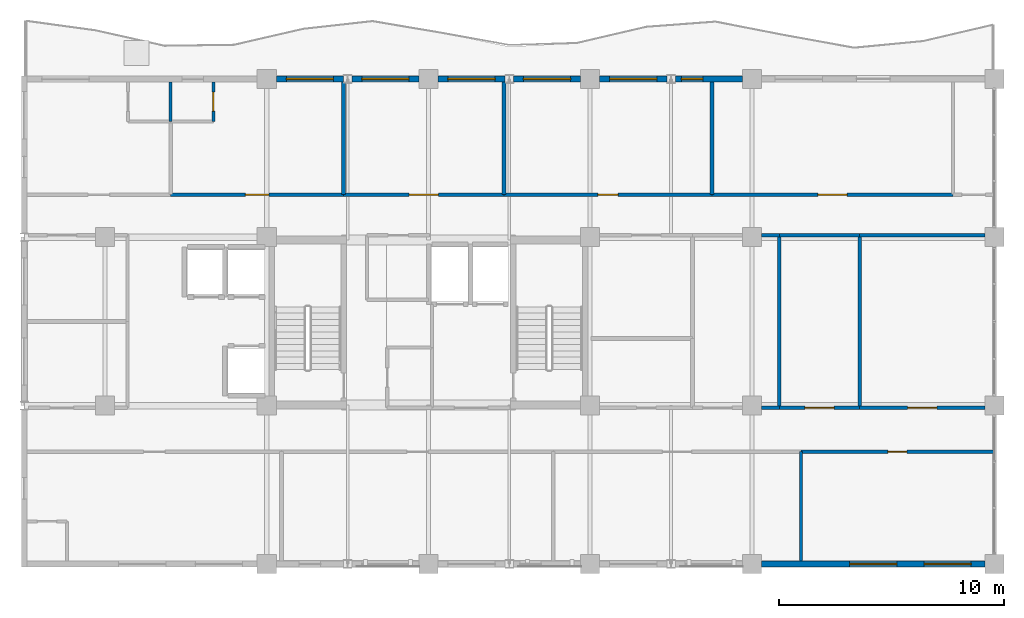
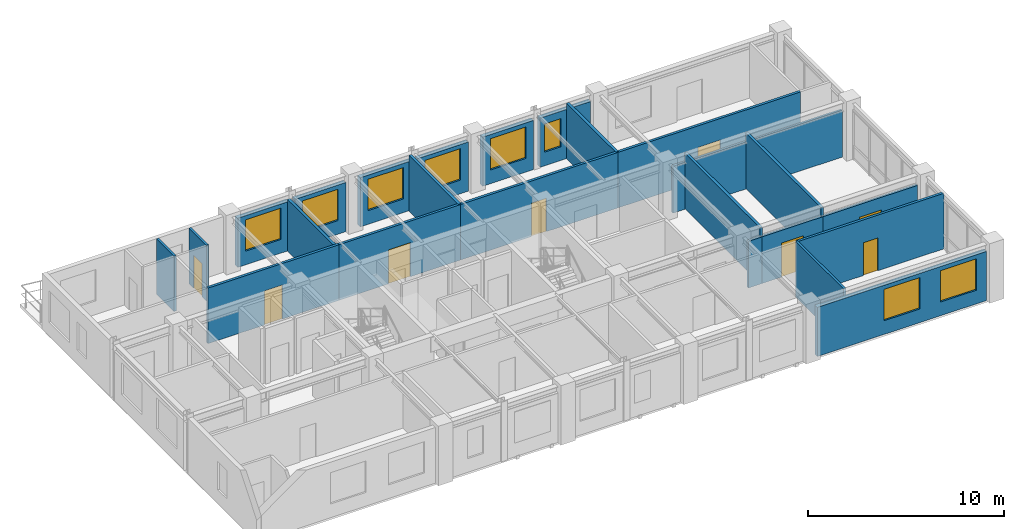
# One storey, part 8 of 11: 26 walls, 8 doors, 8 windows, 16 openings.
"""IFC4 building model written with IfcOpenShell, lengths in metres."""

from ifc_helpers import new_model, si_unit, direction, frame, frame_2d, origin, place, context, subcontext, project, spatial, rectangle, extrude, material, layer, layer_set, type_object, element, fill, save


model = new_model("IFC4")

# Units and contexts
model_context = context("Model", 3, precision=1e-05, world=origin(), true_north=direction((0.0, 1.0)))
body_context = subcontext(model_context, "Body", "Model", "MODEL_VIEW")
ifc_project = project(units=[si_unit("LENGTHUNIT", "METRE"), si_unit("AREAUNIT", "SQUARE_METRE"), si_unit("VOLUMEUNIT", "CUBIC_METRE"), si_unit("PLANEANGLEUNIT", "RADIAN"), si_unit("MASSUNIT", "GRAM", prefix="KILO")], contexts=[model_context])

# Site, building, storey
site_placement = place(None, origin())
site = spatial("IfcSite", under=ifc_project, at=site_placement, CompositionType="ELEMENT")
building_placement = place(site_placement, origin())
building = spatial("IfcBuilding", under=site, at=building_placement, Name="Kaliganga Portal Commons", CompositionType="ELEMENT")
storey_placement = place(building_placement, frame((0.0, 0.0, 272.10009765625)))
storey = spatial("IfcBuildingStorey", under=building, at=storey_placement, Name="L70", CompositionType="ELEMENT", Elevation=272.10009765625)

# Wall, openings, windows
ifc_material_1 = material(Name="Insulated Aluminium-Clad Spandrel Assembly", Category="aluminium")
ifc_layer_1 = layer(ifc_material_1, 0.260009765625)
ifc_layer_set_1 = layer_set([ifc_layer_1], Name="Insulated Aluminium-Clad Spandrel Assembly")
wall_type_1 = type_object("IfcWallType", Name="WL-EXT-SPAND-260", PredefinedType="STANDARD", material=ifc_layer_set_1)
wall_1_placement = place(storey_placement, frame((46.3740234375, 21.60009765625, 0.0), z_axis=(0.0, 0.0, 1.0), x_axis=(-1.0, 0.0, 0.0)))
wall_1 = element("IfcWall", 1, at=wall_1_placement, inside=storey, type_object=wall_type_1, Name="Exterior Envelope Wall L70 P1-E00-S8", PredefinedType="STANDARD", context=body_context, shape_type="SweptSolid", body=[
    extrude(rectangle(XDim=9.947998046875, YDim=0.260009765625, at=frame_2d((4.97412109375, 0.0))), origin(), (0.0, 0.0, 1.0), 3.054931640625),
])
opening_1_placement = place(wall_1_placement, frame((0.60791015625, 0.0, 0.85009765625)))
opening_1 = element("IfcOpeningElement", 2, at=opening_1_placement, cuts=wall_1, Name="Opening W-06", PredefinedType="OPENING", context=body_context, shape_type="SweptSolid", body=[
    extrude(rectangle(XDim=2.10009765625, YDim=1.949951171875, at=frame_2d((1.050048828125, 0.97509765625))), frame((0.0, 0.14013671875, 0.0), z_axis=(0.0, -1.0, 0.0), x_axis=(1.0, 0.0, 0.0)), (0.0, 0.0, 1.0), 0.280029296875),
])
opening_2_placement = place(wall_1_placement, frame((3.924072265625, 0.0, 0.85009765625)))
opening_2 = element("IfcOpeningElement", 3, at=opening_2_placement, cuts=wall_1, Name="Opening W-06", PredefinedType="OPENING", context=body_context, shape_type="SweptSolid", body=[
    extrude(rectangle(XDim=2.10009765625, YDim=1.949951171875, at=frame_2d((1.050048828125, 0.97509765625))), frame((0.0, 0.14013671875, 0.0), z_axis=(0.0, -1.0, 0.0), x_axis=(1.0, 0.0, 0.0)), (0.0, 0.0, 1.0), 0.280029296875),
])
ifc_material_2 = material(Name="Thermally Broken Aluminium and Low-E Double Glazing", Category="aluminium")
window_type_1 = type_object("IfcWindowType", Name="WIN-PAN-2100", PartitioningType="DOUBLE_PANEL_VERTICAL", PredefinedType="WINDOW", material=ifc_material_2)
window_1_placement = place(opening_1_placement, origin())
window_1 = element("IfcWindow", 4, at=window_1_placement, inside=storey, type_object=window_type_1, Name="Facade Window L70-P1E00S8-00", OverallHeight=1.949951171875, OverallWidth=2.10009765625, PartitioningType="SINGLE_PANEL", PredefinedType="WINDOW", context=body_context, shape_type="SweptSolid", body=[
    extrude(rectangle(XDim=2.10009765625, YDim=1.949951171875, at=frame_2d((1.050048828125, 0.97509765625))), frame((0.0, 0.030029296875, 0.0), z_axis=(0.0, -1.0, 0.0), x_axis=(1.0, 0.0, 0.0)), (0.0, 0.0, 1.0), 0.06005859375),
])
fill(opening_1, window_1)
window_2_placement = place(opening_2_placement, origin())
window_2 = element("IfcWindow", 5, at=window_2_placement, inside=storey, type_object=window_type_1, Name="Facade Window L70-P1E00S8-01", OverallHeight=1.949951171875, OverallWidth=2.10009765625, PartitioningType="SINGLE_PANEL", PredefinedType="WINDOW", context=body_context, shape_type="SweptSolid", body=[
    extrude(rectangle(XDim=2.10009765625, YDim=1.949951171875, at=frame_2d((1.050048828125, 0.97509765625))), frame((0.0, 0.030029296875, 0.0), z_axis=(0.0, -1.0, 0.0), x_axis=(1.0, 0.0, 0.0)), (0.0, 0.0, 1.0), 0.06005859375),
])
fill(opening_2, window_2)

# Wall, opening, window
wall_2_placement = place(storey_placement, frame((32.587890625, 43.199951171875, 0.0), z_axis=(0.0, 0.0, 1.0), x_axis=(1.0, 0.0, 0.0)))
wall_2 = element("IfcWall", 6, at=wall_2_placement, inside=storey, type_object=wall_type_1, Name="Exterior Envelope Wall L70 P1-E02-S2", PredefinedType="STANDARD", context=body_context, shape_type="SweptSolid", body=[
    extrude(rectangle(XDim=2.986083984375, YDim=0.260009765625, at=frame_2d((1.4931640625, 0.0))), origin(), (0.0, 0.0, 1.0), 3.054931640625),
])
opening_3_placement = place(wall_2_placement, frame((0.277587890625, 0.0, 0.85009765625)))
opening_3 = element("IfcOpeningElement", 7, at=opening_3_placement, cuts=wall_2, Name="Opening W-04", PredefinedType="OPENING", context=body_context, shape_type="SweptSolid", body=[
    extrude(rectangle(XDim=0.949951171875, YDim=1.75, at=frame_2d((0.47509765625, 0.875))), frame((0.0, 0.14013671875, 0.0), z_axis=(0.0, -1.0, 0.0), x_axis=(1.0, 0.0, 0.0)), (0.0, 0.0, 1.0), 0.280029296875),
])
window_type_2 = type_object("IfcWindowType", Name="WIN-NARROW-950", PartitioningType="SINGLE_PANEL", PredefinedType="WINDOW", material=ifc_material_2)
window_3_placement = place(opening_3_placement, origin())
window_3 = element("IfcWindow", 8, at=window_3_placement, inside=storey, type_object=window_type_2, Name="Facade Window L70-P1E02S2-N1", OverallHeight=1.75, OverallWidth=0.949951171875, PartitioningType="SINGLE_PANEL", PredefinedType="WINDOW", context=body_context, shape_type="SweptSolid", body=[
    extrude(rectangle(XDim=0.949951171875, YDim=1.75, at=frame_2d((0.47509765625, 0.875))), frame((0.0, 0.030029296875, 0.0), z_axis=(0.0, -1.0, 0.0), x_axis=(1.0, 0.0, 0.0)), (0.0, 0.0, 1.0), 0.06005859375),
])
fill(opening_3, window_3)

wall_3_placement = place(storey_placement, frame((29.22607421875, 43.199951171875, 0.0), z_axis=(0.0, 0.0, 1.0), x_axis=(1.0, 0.0, 0.0)))
wall_3 = element("IfcWall", 9, at=wall_3_placement, inside=storey, type_object=wall_type_1, Name="Exterior Envelope Wall L70 P1-E02-S3", PredefinedType="STANDARD", context=body_context, shape_type="SweptSolid", body=[
    extrude(rectangle(XDim=2.98583984375, YDim=0.260009765625, at=frame_2d((1.492919921875, 0.0))), origin(), (0.0, 0.0, 1.0), 3.054931640625),
])
opening_4_placement = place(wall_3_placement, frame((0.443115234375, 0.0, 0.85009765625)))
opening_4 = element("IfcOpeningElement", 10, at=opening_4_placement, cuts=wall_3, Name="Opening W-06", PredefinedType="OPENING", context=body_context, shape_type="SweptSolid", body=[
    extrude(rectangle(XDim=2.10009765625, YDim=1.949951171875, at=frame_2d((1.050048828125, 0.97509765625))), frame((0.0, 0.14013671875, 0.0), z_axis=(0.0, -1.0, 0.0), x_axis=(1.0, 0.0, 0.0)), (0.0, 0.0, 1.0), 0.280029296875),
])
window_4_placement = place(opening_4_placement, origin())
window_4 = element("IfcWindow", 11, at=window_4_placement, inside=storey, type_object=window_type_1, Name="Facade Window L70-P1E02S3-00", OverallHeight=1.949951171875, OverallWidth=2.10009765625, PartitioningType="SINGLE_PANEL", PredefinedType="WINDOW", context=body_context, shape_type="SweptSolid", body=[
    extrude(rectangle(XDim=2.10009765625, YDim=1.949951171875, at=frame_2d((1.050048828125, 0.97509765625))), frame((0.0, 0.030029296875, 0.0), z_axis=(0.0, -1.0, 0.0), x_axis=(1.0, 0.0, 0.0)), (0.0, 0.0, 1.0), 0.06005859375),
])
fill(opening_4, window_4)

wall_4_placement = place(storey_placement, frame((25.387939453125, 43.199951171875, 0.0), z_axis=(0.0, 0.0, 1.0), x_axis=(1.0, 0.0, 0.0)))
wall_4 = element("IfcWall", 12, at=wall_4_placement, inside=storey, type_object=wall_type_1, Name="Exterior Envelope Wall L70 P1-E02-S4", PredefinedType="STANDARD", context=body_context, shape_type="SweptSolid", body=[
    extrude(rectangle(XDim=2.986083984375, YDim=0.260009765625, at=frame_2d((1.4931640625, 0.0))), origin(), (0.0, 0.0, 1.0), 3.054931640625),
])
opening_5_placement = place(wall_4_placement, frame((0.443115234375, 0.0, 0.85009765625)))
opening_5 = element("IfcOpeningElement", 13, at=opening_5_placement, cuts=wall_4, Name="Opening W-06", PredefinedType="OPENING", context=body_context, shape_type="SweptSolid", body=[
    extrude(rectangle(XDim=2.10009765625, YDim=1.949951171875, at=frame_2d((1.050048828125, 0.97509765625))), frame((0.0, 0.14013671875, 0.0), z_axis=(0.0, -1.0, 0.0), x_axis=(1.0, 0.0, 0.0)), (0.0, 0.0, 1.0), 0.280029296875),
])
window_5_placement = place(opening_5_placement, origin())
window_5 = element("IfcWindow", 14, at=window_5_placement, inside=storey, type_object=window_type_1, Name="Facade Window L70-P1E02S4-00", OverallHeight=1.949951171875, OverallWidth=2.10009765625, PartitioningType="SINGLE_PANEL", PredefinedType="WINDOW", context=body_context, shape_type="SweptSolid", body=[
    extrude(rectangle(XDim=2.10009765625, YDim=1.949951171875, at=frame_2d((1.050048828125, 0.97509765625))), frame((0.0, 0.030029296875, 0.0), z_axis=(0.0, -1.0, 0.0), x_axis=(1.0, 0.0, 0.0)), (0.0, 0.0, 1.0), 0.06005859375),
])
fill(opening_5, window_5)

wall_5_placement = place(storey_placement, frame((22.02587890625, 43.199951171875, 0.0), z_axis=(0.0, 0.0, 1.0), x_axis=(1.0, 0.0, 0.0)))
wall_5 = element("IfcWall", 15, at=wall_5_placement, inside=storey, type_object=wall_type_1, Name="Exterior Envelope Wall L70 P1-E02-S5", PredefinedType="STANDARD", context=body_context, shape_type="SweptSolid", body=[
    extrude(rectangle(XDim=2.986083984375, YDim=0.260009765625, at=frame_2d((1.4931640625, 0.0))), origin(), (0.0, 0.0, 1.0), 3.054931640625),
])
opening_6_placement = place(wall_5_placement, frame((0.443115234375, 0.0, 0.85009765625)))
opening_6 = element("IfcOpeningElement", 16, at=opening_6_placement, cuts=wall_5, Name="Opening W-06", PredefinedType="OPENING", context=body_context, shape_type="SweptSolid", body=[
    extrude(rectangle(XDim=2.10009765625, YDim=1.949951171875, at=frame_2d((1.050048828125, 0.97509765625))), frame((0.0, 0.14013671875, 0.0), z_axis=(0.0, -1.0, 0.0), x_axis=(1.0, 0.0, 0.0)), (0.0, 0.0, 1.0), 0.280029296875),
])
window_6_placement = place(opening_6_placement, origin())
window_6 = element("IfcWindow", 17, at=window_6_placement, inside=storey, type_object=window_type_1, Name="Facade Window L70-P1E02S5-00", OverallHeight=1.949951171875, OverallWidth=2.10009765625, PartitioningType="SINGLE_PANEL", PredefinedType="WINDOW", context=body_context, shape_type="SweptSolid", body=[
    extrude(rectangle(XDim=2.10009765625, YDim=1.949951171875, at=frame_2d((1.050048828125, 0.97509765625))), frame((0.0, 0.030029296875, 0.0), z_axis=(0.0, -1.0, 0.0), x_axis=(1.0, 0.0, 0.0)), (0.0, 0.0, 1.0), 0.06005859375),
])
fill(opening_6, window_6)

wall_6_placement = place(storey_placement, frame((18.18798828125, 43.199951171875, 0.0), z_axis=(0.0, 0.0, 1.0), x_axis=(1.0, 0.0, 0.0)))
wall_6 = element("IfcWall", 18, at=wall_6_placement, inside=storey, type_object=wall_type_1, Name="Exterior Envelope Wall L70 P1-E02-S6", PredefinedType="STANDARD", context=body_context, shape_type="SweptSolid", body=[
    extrude(rectangle(XDim=2.986083984375, YDim=0.260009765625, at=frame_2d((1.4931640625, 0.0))), origin(), (0.0, 0.0, 1.0), 3.054931640625),
])
opening_7_placement = place(wall_6_placement, frame((0.443115234375, 0.0, 0.85009765625)))
opening_7 = element("IfcOpeningElement", 19, at=opening_7_placement, cuts=wall_6, Name="Opening W-06", PredefinedType="OPENING", context=body_context, shape_type="SweptSolid", body=[
    extrude(rectangle(XDim=2.10009765625, YDim=1.949951171875, at=frame_2d((1.050048828125, 0.97509765625))), frame((0.0, 0.14013671875, 0.0), z_axis=(0.0, -1.0, 0.0), x_axis=(1.0, 0.0, 0.0)), (0.0, 0.0, 1.0), 0.280029296875),
])
window_7_placement = place(opening_7_placement, origin())
window_7 = element("IfcWindow", 20, at=window_7_placement, inside=storey, type_object=window_type_1, Name="Facade Window L70-P1E02S6-00", OverallHeight=1.949951171875, OverallWidth=2.10009765625, PartitioningType="SINGLE_PANEL", PredefinedType="WINDOW", context=body_context, shape_type="SweptSolid", body=[
    extrude(rectangle(XDim=2.10009765625, YDim=1.949951171875, at=frame_2d((1.050048828125, 0.97509765625))), frame((0.0, 0.030029296875, 0.0), z_axis=(0.0, -1.0, 0.0), x_axis=(1.0, 0.0, 0.0)), (0.0, 0.0, 1.0), 0.06005859375),
])
fill(opening_7, window_7)

wall_7_placement = place(storey_placement, frame((14.825927734375, 43.199951171875, 0.0), z_axis=(0.0, 0.0, 1.0), x_axis=(1.0, 0.0, 0.0)))
wall_7 = element("IfcWall", 21, at=wall_7_placement, inside=storey, type_object=wall_type_1, Name="Exterior Envelope Wall L70 P1-E02-S7", PredefinedType="STANDARD", context=body_context, shape_type="SweptSolid", body=[
    extrude(rectangle(XDim=2.986083984375, YDim=0.260009765625, at=frame_2d((1.4931640625, 0.0))), origin(), (0.0, 0.0, 1.0), 3.054931640625),
])
opening_8_placement = place(wall_7_placement, frame((0.443115234375, 0.0, 0.85009765625)))
opening_8 = element("IfcOpeningElement", 22, at=opening_8_placement, cuts=wall_7, Name="Opening W-06", PredefinedType="OPENING", context=body_context, shape_type="SweptSolid", body=[
    extrude(rectangle(XDim=2.10009765625, YDim=1.949951171875, at=frame_2d((1.050048828125, 0.97509765625))), frame((0.0, 0.14013671875, 0.0), z_axis=(0.0, -1.0, 0.0), x_axis=(1.0, 0.0, 0.0)), (0.0, 0.0, 1.0), 0.280029296875),
])
window_8_placement = place(opening_8_placement, origin())
window_8 = element("IfcWindow", 23, at=window_8_placement, inside=storey, type_object=window_type_1, Name="Facade Window L70-P1E02S7-00", OverallHeight=1.949951171875, OverallWidth=2.10009765625, PartitioningType="SINGLE_PANEL", PredefinedType="WINDOW", context=body_context, shape_type="SweptSolid", body=[
    extrude(rectangle(XDim=2.10009765625, YDim=1.949951171875, at=frame_2d((1.050048828125, 0.97509765625))), frame((0.0, 0.030029296875, 0.0), z_axis=(0.0, -1.0, 0.0), x_axis=(1.0, 0.0, 0.0)), (0.0, 0.0, 1.0), 0.06005859375),
])
fill(opening_8, window_8)

# Wall, opening, door
ifc_material_3 = material(Name="Fire-Rated Gypsum Board on Steel Stud", Category="steel")
ifc_layer_2 = layer(ifc_material_3, 0.14990234375)
ifc_layer_set_2 = layer_set([ifc_layer_2], Name="Fire-Rated Gypsum Board on Steel Stud")
wall_type_2 = type_object("IfcWallType", Name="WL-PART-CORR-150", PredefinedType="PARTITIONING", material=ifc_layer_set_2)
wall_8_placement = place(storey_placement, frame((34.219970703125, 38.0400390625, 0.0), z_axis=(0.0, 0.0, 1.0), x_axis=(1.0, 0.0, 0.0)))
wall_8 = element("IfcWall", 24, at=wall_8_placement, inside=storey, type_object=wall_type_2, Name="Interior Partition L70-011", PredefinedType="PARTITIONING", context=body_context, shape_type="SweptSolid", body=[
    extrude(rectangle(XDim=10.739990234375, YDim=0.14990234375, at=frame_2d((5.3701171875, 0.0))), origin(), (0.0, 0.0, 1.0), 3.454833984375),
])
opening_9_placement = place(wall_8_placement, frame((4.719970703125, 0.0, 0.0)))
opening_9 = element("IfcOpeningElement", 25, at=opening_9_placement, cuts=wall_8, Name="Opening RD-03", PredefinedType="OPENING", context=body_context, shape_type="SweptSolid", body=[
    extrude(rectangle(XDim=1.300048828125, YDim=2.1201171875, at=frame_2d((0.64990234375, 1.06005859375))), frame((0.0, 0.0849609375, 0.0), z_axis=(0.0, -1.0, 0.0), x_axis=(1.0, 0.0, 0.0)), (0.0, 0.0, 1.0), 0.169921875),
])
ifc_material_4 = material(Name="Glazed Timber Seminar Vision Door", Category="wood")
door_type_1 = type_object("IfcDoorType", Name="DR-STUDY-1300", OperationType="DOUBLE_DOOR_SINGLE_SWING", PredefinedType="DOOR", material=ifc_material_4)
door_1_placement = place(opening_9_placement, origin())
door_1 = element("IfcDoor", 26, at=door_1_placement, inside=storey, type_object=door_type_1, Name="Interior Door L70-AN05", OperationType="DOUBLE_DOOR_SINGLE_SWING", OverallHeight=2.1201171875, OverallWidth=1.300048828125, PredefinedType="DOOR", context=body_context, shape_type="SweptSolid", body=[
    extrude(rectangle(XDim=1.300048828125, YDim=2.1201171875, at=frame_2d((0.64990234375, 1.06005859375))), frame((0.0, 0.02490234375, 0.0), z_axis=(0.0, -1.0, 0.0), x_axis=(1.0, 0.0, 0.0)), (0.0, 0.0, 1.0), 0.050048828125),
])
fill(opening_9, door_1)

wall_9_placement = place(storey_placement, frame((24.9599609375, 38.0400390625, 0.0), z_axis=(0.0, 0.0, 1.0), x_axis=(1.0, 0.0, 0.0)))
wall_9 = element("IfcWall", 27, at=wall_9_placement, inside=storey, type_object=wall_type_2, Name="Interior Partition L70-012", PredefinedType="PARTITIONING", context=body_context, shape_type="SweptSolid", body=[
    extrude(rectangle(XDim=9.260009765625, YDim=0.14990234375, at=frame_2d((4.6298828125, 0.0))), origin(), (0.0, 0.0, 1.0), 3.454833984375),
])
opening_10_placement = place(wall_9_placement, frame((4.179931640625, 0.0, 0.0)))
opening_10 = element("IfcOpeningElement", 28, at=opening_10_placement, cuts=wall_9, Name="Opening RD-01", PredefinedType="OPENING", context=body_context, shape_type="SweptSolid", body=[
    extrude(rectangle(XDim=0.89990234375, YDim=2.080078125, at=frame_2d((0.449951171875, 1.0400390625))), frame((0.0, 0.0849609375, 0.0), z_axis=(0.0, -1.0, 0.0), x_axis=(1.0, 0.0, 0.0)), (0.0, 0.0, 1.0), 0.169921875),
])
ifc_material_5 = material(Name="Engineered Timber Flush Door", Category="wood")
door_type_2 = type_object("IfcDoorType", Name="DR-ROOM-900", OperationType="NOTDEFINED", PredefinedType="DOOR", material=ifc_material_5)
door_2_placement = place(opening_10_placement, origin())
door_2 = element("IfcDoor", 29, at=door_2_placement, inside=storey, type_object=door_type_2, Name="Interior Door L70-AN04", OperationType="SINGLE_SWING_RIGHT", OverallHeight=2.080078125, OverallWidth=0.89990234375, PredefinedType="DOOR", context=body_context, shape_type="SweptSolid", body=[
    extrude(rectangle(XDim=0.89990234375, YDim=2.080078125, at=frame_2d((0.449951171875, 1.0400390625))), frame((0.0, 0.02490234375, 0.0), z_axis=(0.0, -1.0, 0.0), x_axis=(1.0, 0.0, 0.0)), (0.0, 0.0, 1.0), 0.050048828125),
])
fill(opening_10, door_2)

wall_10_placement = place(storey_placement, frame((38.179931640625, 26.60009765625, 0.0), z_axis=(0.0, 0.0, 1.0), x_axis=(1.0, 0.0, 0.0)))
wall_10 = element("IfcWall", 30, at=wall_10_placement, inside=storey, type_object=wall_type_2, Name="Interior Partition L70-013", PredefinedType="PARTITIONING", context=body_context, shape_type="SweptSolid", body=[
    extrude(rectangle(XDim=8.60009765625, YDim=0.14990234375, at=frame_2d((4.300048828125, 0.0))), origin(), (0.0, 0.0, 1.0), 3.454833984375),
])
opening_11_placement = place(wall_10_placement, frame((3.875, 0.0, 0.0)))
opening_11 = element("IfcOpeningElement", 31, at=opening_11_placement, cuts=wall_10, Name="Opening WD-01", PredefinedType="OPENING", context=body_context, shape_type="SweptSolid", body=[
    extrude(rectangle(XDim=0.85009765625, YDim=2.0400390625, at=frame_2d((0.425048828125, 1.02001953125))), frame((0.0, 0.0849609375, 0.0), z_axis=(0.0, -1.0, 0.0), x_axis=(1.0, 0.0, 0.0)), (0.0, 0.0, 1.0), 0.169921875),
])
ifc_material_6 = material(Name="Moisture-Resistant Laminate Timber Door", Category="wood")
door_type_3 = type_object("IfcDoorType", Name="DR-WET-850", OperationType="NOTDEFINED", PredefinedType="DOOR", material=ifc_material_6)
door_3_placement = place(opening_11_placement, origin())
door_3 = element("IfcDoor", 32, at=door_3_placement, inside=storey, type_object=door_type_3, Name="Interior Door L70-AS04", OperationType="SINGLE_SWING_LEFT", OverallHeight=2.0400390625, OverallWidth=0.85009765625, PredefinedType="DOOR", context=body_context, shape_type="SweptSolid", body=[
    extrude(rectangle(XDim=0.85009765625, YDim=2.0400390625, at=frame_2d((0.425048828125, 1.02001953125))), frame((0.0, 0.02490234375, 0.0), z_axis=(0.0, -1.0, 0.0), x_axis=(1.0, 0.0, 0.0)), (0.0, 0.0, 1.0), 0.050048828125),
])
fill(opening_11, door_3)

wall_11_placement = place(storey_placement, frame((10.1201171875, 38.0400390625, 0.0), z_axis=(0.0, 0.0, 1.0), x_axis=(1.0, 0.0, 0.0)))
wall_11 = element("IfcWall", 33, at=wall_11_placement, inside=storey, type_object=wall_type_2, Name="Interior Partition L70-014", PredefinedType="PARTITIONING", context=body_context, shape_type="SweptSolid", body=[
    extrude(rectangle(XDim=7.699951171875, YDim=0.14990234375, at=frame_2d((3.85009765625, 0.0))), origin(), (0.0, 0.0, 1.0), 3.454833984375),
])
opening_12_placement = place(wall_11_placement, frame((3.324951171875, 0.0, 0.0)))
opening_12 = element("IfcOpeningElement", 34, at=opening_12_placement, cuts=wall_11, Name="Opening UD-02", PredefinedType="OPENING", context=body_context, shape_type="SweptSolid", body=[
    extrude(rectangle(XDim=1.050048828125, YDim=2.1201171875, at=frame_2d((0.52490234375, 1.06005859375))), frame((0.0, 0.0849609375, 0.0), z_axis=(0.0, -1.0, 0.0), x_axis=(1.0, 0.0, 0.0)), (0.0, 0.0, 1.0), 0.169921875),
])
ifc_material_7 = material(Name="Accessible Wide-Leaf Acoustic Fire Door", Category="wood")
door_type_4 = type_object("IfcDoorType", Name="DR-ACC-1050", OperationType="NOTDEFINED", PredefinedType="DOOR", material=ifc_material_7)
door_4_placement = place(opening_12_placement, origin())
door_4 = element("IfcDoor", 35, at=door_4_placement, inside=storey, type_object=door_type_4, Name="Interior Door L70-AN02", OperationType="SINGLE_SWING_RIGHT", OverallHeight=2.1201171875, OverallWidth=1.050048828125, PredefinedType="DOOR", context=body_context, shape_type="SweptSolid", body=[
    extrude(rectangle(XDim=1.050048828125, YDim=2.1201171875, at=frame_2d((0.52490234375, 1.06005859375))), frame((0.0, 0.02490234375, 0.0), z_axis=(0.0, -1.0, 0.0), x_axis=(1.0, 0.0, 0.0)), (0.0, 0.0, 1.0), 0.050048828125),
])
fill(opening_12, door_4)

wall_12_placement = place(storey_placement, frame((17.820068359375, 38.0400390625, 0.0), z_axis=(0.0, 0.0, 1.0), x_axis=(1.0, 0.0, 0.0)))
wall_12 = element("IfcWall", 36, at=wall_12_placement, inside=storey, type_object=wall_type_2, Name="Interior Partition L70-015", PredefinedType="PARTITIONING", context=body_context, shape_type="SweptSolid", body=[
    extrude(rectangle(XDim=7.139892578125, YDim=0.14990234375, at=frame_2d((3.56982421875, 0.0))), origin(), (0.0, 0.0, 1.0), 3.454833984375),
])
opening_13_placement = place(wall_12_placement, frame((2.919921875, 0.0, 0.0)))
opening_13 = element("IfcOpeningElement", 37, at=opening_13_placement, cuts=wall_12, Name="Opening RD-03", PredefinedType="OPENING", context=body_context, shape_type="SweptSolid", body=[
    extrude(rectangle(XDim=1.300048828125, YDim=2.1201171875, at=frame_2d((0.64990234375, 1.06005859375))), frame((0.0, 0.0849609375, 0.0), z_axis=(0.0, -1.0, 0.0), x_axis=(1.0, 0.0, 0.0)), (0.0, 0.0, 1.0), 0.169921875),
])
door_5_placement = place(opening_13_placement, origin())
door_5 = element("IfcDoor", 38, at=door_5_placement, inside=storey, type_object=door_type_1, Name="Interior Door L70-AN03", OperationType="DOUBLE_DOOR_SINGLE_SWING", OverallHeight=2.1201171875, OverallWidth=1.300048828125, PredefinedType="DOOR", context=body_context, shape_type="SweptSolid", body=[
    extrude(rectangle(XDim=1.300048828125, YDim=2.1201171875, at=frame_2d((0.64990234375, 1.06005859375))), frame((0.0, 0.02490234375, 0.0), z_axis=(0.0, -1.0, 0.0), x_axis=(1.0, 0.0, 0.0)), (0.0, 0.0, 1.0), 0.050048828125),
])
fill(opening_13, door_5)

wall_13_placement = place(storey_placement, frame((40.800048828125, 28.56005859375, 0.0), z_axis=(0.0, 0.0, 1.0), x_axis=(1.0, 0.0, 0.0)))
wall_13 = element("IfcWall", 39, at=wall_13_placement, inside=storey, type_object=wall_type_2, Name="Interior Partition L70-017", PredefinedType="PARTITIONING", context=body_context, shape_type="SweptSolid", body=[
    extrude(rectangle(XDim=5.574951171875, YDim=0.14990234375, at=frame_2d((2.78759765625, 0.0))), origin(), (0.0, 0.0, 1.0), 2.90478515625),
])
opening_14_placement = place(wall_13_placement, frame((2.137451171875, 0.0, 0.0)))
opening_14 = element("IfcOpeningElement", 40, at=opening_14_placement, cuts=wall_13, Name="Opening RD-03", PredefinedType="OPENING", context=body_context, shape_type="SweptSolid", body=[
    extrude(rectangle(XDim=1.300048828125, YDim=2.1201171875, at=frame_2d((0.64990234375, 1.06005859375))), frame((0.0, 0.0849609375, 0.0), z_axis=(0.0, -1.0, 0.0), x_axis=(1.0, 0.0, 0.0)), (0.0, 0.0, 1.0), 0.169921875),
])
door_6_placement = place(opening_14_placement, origin())
door_6 = element("IfcDoor", 41, at=door_6_placement, inside=storey, type_object=door_type_1, Name="Interior Door L70-AE03", OperationType="DOUBLE_DOOR_SINGLE_SWING", OverallHeight=2.1201171875, OverallWidth=1.300048828125, PredefinedType="DOOR", context=body_context, shape_type="SweptSolid", body=[
    extrude(rectangle(XDim=1.300048828125, YDim=2.1201171875, at=frame_2d((0.64990234375, 1.06005859375))), frame((0.0, 0.02490234375, 0.0), z_axis=(0.0, -1.0, 0.0), x_axis=(1.0, 0.0, 0.0)), (0.0, 0.0, 1.0), 0.050048828125),
])
fill(opening_14, door_6)

# Walls
wall_14_placement = place(storey_placement, frame((40.800048828125, 36.239990234375, 0.0), z_axis=(0.0, 0.0, 1.0), x_axis=(1.0, 0.0, 0.0)))
element("IfcWall", 42, at=wall_14_placement, inside=storey, type_object=wall_type_2, Name="Interior Partition L70-018", PredefinedType="PARTITIONING", context=body_context, shape_type="SweptSolid", body=[
    extrude(rectangle(XDim=5.574951171875, YDim=0.14990234375, at=frame_2d((2.78759765625, 0.0))), origin(), (0.0, 0.0, 1.0), 2.90478515625),
])
for number, where, z_axis, x_axis, name in (
    (43, (36.425048828125, 28.56005859375, 0.0), (0.0, 0.0, 1.0), (1.0, 0.0, 0.0), "Interior Partition L70-026"),
    (44, (36.425048828125, 36.239990234375, 0.0), (0.0, 0.0, 1.0), (1.0, 0.0, 0.0), "Interior Partition L70-028"),
):
    element("IfcWall", number, at=place(storey_placement, frame(where, z_axis=z_axis, x_axis=x_axis)), inside=storey, type_object=wall_type_2, Name=name, PredefinedType="PARTITIONING", context=body_context, shape_type="SweptSolid", body=[
        extrude(rectangle(XDim=0.794921875, YDim=0.14990234375, at=frame_2d((0.3974609375, 0.0))), origin(), (0.0, 0.0, 1.0), 2.90478515625),
    ])

# Wall, opening, door
wall_15_placement = place(storey_placement, frame((37.219970703125, 28.56005859375, 0.0), z_axis=(0.0, 0.0, 1.0), x_axis=(1.0, 0.0, 0.0)))
wall_15 = element("IfcWall", 45, at=wall_15_placement, inside=storey, type_object=wall_type_2, Name="Interior Partition L70-031", PredefinedType="PARTITIONING", context=body_context, shape_type="SweptSolid", body=[
    extrude(rectangle(XDim=3.580078125, YDim=0.14990234375, at=frame_2d((1.7900390625, 0.0))), origin(), (0.0, 0.0, 1.0), 2.90478515625),
])
opening_15_placement = place(wall_15_placement, frame((1.139892578125, 0.0, 0.0)))
opening_15 = element("IfcOpeningElement", 46, at=opening_15_placement, cuts=wall_15, Name="Opening RD-03", PredefinedType="OPENING", context=body_context, shape_type="SweptSolid", body=[
    extrude(rectangle(XDim=1.300048828125, YDim=2.1201171875, at=frame_2d((0.64990234375, 1.06005859375))), frame((0.0, 0.0849609375, 0.0), z_axis=(0.0, -1.0, 0.0), x_axis=(1.0, 0.0, 0.0)), (0.0, 0.0, 1.0), 0.169921875),
])
door_7_placement = place(opening_15_placement, origin())
door_7 = element("IfcDoor", 47, at=door_7_placement, inside=storey, type_object=door_type_1, Name="Interior Door L70-AE02", OperationType="DOUBLE_DOOR_SINGLE_SWING", OverallHeight=2.1201171875, OverallWidth=1.300048828125, PredefinedType="DOOR", context=body_context, shape_type="SweptSolid", body=[
    extrude(rectangle(XDim=1.300048828125, YDim=2.1201171875, at=frame_2d((0.64990234375, 1.06005859375))), frame((0.0, 0.02490234375, 0.0), z_axis=(0.0, -1.0, 0.0), x_axis=(1.0, 0.0, 0.0)), (0.0, 0.0, 1.0), 0.050048828125),
])
fill(opening_15, door_7)

# Walls
wall_16_placement = place(storey_placement, frame((37.219970703125, 36.239990234375, 0.0), z_axis=(0.0, 0.0, 1.0), x_axis=(1.0, 0.0, 0.0)))
element("IfcWall", 48, at=wall_16_placement, inside=storey, type_object=wall_type_2, Name="Interior Partition L70-032", PredefinedType="PARTITIONING", context=body_context, shape_type="SweptSolid", body=[
    extrude(rectangle(XDim=3.580078125, YDim=0.14990234375, at=frame_2d((1.7900390625, 0.0))), origin(), (0.0, 0.0, 1.0), 2.90478515625),
])
ifc_material_8 = material(Name="Twin-Stud Acoustic Gypsum Partition", Category="gypsum")
ifc_layer_3 = layer(ifc_material_8, 0.1650390625)
ifc_layer_set_3 = layer_set([ifc_layer_3], Name="Twin-Stud Acoustic Gypsum Partition")
wall_type_3 = type_object("IfcWallType", Name="WL-PART-UNIT-165", PredefinedType="PARTITIONING", material=ifc_layer_set_3)
for number, where, z_axis, x_axis, name in (
    (49, (37.219970703125, 28.56005859375, 0.0), (0.0, 0.0, 1.0), (0.0, 1.0, 0.0), "Interior Partition L70-042"),
    (50, (40.800048828125, 28.56005859375, 0.0), (0.0, 0.0, 1.0), (0.0, 1.0, 0.0), "Interior Partition L70-043"),
):
    element("IfcWall", number, at=place(storey_placement, frame(where, z_axis=z_axis, x_axis=x_axis)), inside=storey, type_object=wall_type_3, Name=name, PredefinedType="PARTITIONING", context=body_context, shape_type="SweptSolid", body=[
        extrude(rectangle(XDim=7.679931640625, YDim=0.1650390625, at=frame_2d((3.83984375, 0.0))), origin(), (0.0, 0.0, 1.0), 3.454833984375),
    ])
wall_17_placement = place(storey_placement, frame((17.820068359375, 38.0400390625, 0.0), z_axis=(0.0, 0.0, 1.0), x_axis=(0.0, 1.0, 0.0)))
element("IfcWall", 51, at=wall_17_placement, inside=storey, type_object=wall_type_3, Name="Interior Partition L70-044", PredefinedType="PARTITIONING", context=body_context, shape_type="SweptSolid", body=[
    extrude(rectangle(XDim=5.028076171875, YDim=0.1650390625, at=frame_2d((2.51416015625, 0.0))), origin(), (0.0, 0.0, 1.0), 3.21484375),
])
for number, where, z_axis, x_axis, name in (
    (52, (24.9599609375, 38.0400390625, 0.0), (0.0, 0.0, 1.0), (0.0, 1.0, 0.0), "Interior Partition L70-045"),
    (53, (34.219970703125, 38.0400390625, 0.0), (0.0, 0.0, 1.0), (0.0, 1.0, 0.0), "Interior Partition L70-046"),
):
    element("IfcWall", number, at=place(storey_placement, frame(where, z_axis=z_axis, x_axis=x_axis)), inside=storey, type_object=wall_type_3, Name=name, PredefinedType="PARTITIONING", context=body_context, shape_type="SweptSolid", body=[
        extrude(rectangle(XDim=5.028076171875, YDim=0.1650390625, at=frame_2d((2.51416015625, 0.0))), origin(), (0.0, 0.0, 1.0), 3.454833984375),
    ])
ifc_material_9 = material(Name="Cement-Board Wet-Room Partition", Category="gypsum")
ifc_layer_4 = layer(ifc_material_9, 0.135009765625)
ifc_layer_set_4 = layer_set([ifc_layer_4], Name="Cement-Board Wet-Room Partition")
wall_type_4 = type_object("IfcWallType", Name="WL-PART-WET-135", PredefinedType="PARTITIONING", material=ifc_layer_set_4)
wall_18_placement = place(storey_placement, frame((10.1201171875, 41.300048828125, 0.0), z_axis=(0.0, 0.0, 1.0), x_axis=(0.0, 1.0, 0.0)))
element("IfcWall", 54, at=wall_18_placement, inside=storey, type_object=wall_type_4, Name="Interior Partition L70-002", PredefinedType="PARTITIONING", context=body_context, shape_type="SweptSolid", body=[
    extrude(rectangle(XDim=1.76806640625, YDim=0.135009765625, at=frame_2d((0.884033203125, 0.0))), origin(), (0.0, 0.0, 1.0), 3.454833984375),
])

# Wall, opening, door
wall_19_placement = place(storey_placement, frame((12.02001953125, 41.300048828125, 0.0), z_axis=(0.0, 0.0, 1.0), x_axis=(0.0, 1.0, 0.0)))
wall_19 = element("IfcWall", 55, at=wall_19_placement, inside=storey, type_object=wall_type_4, Name="Interior Partition L70-003", PredefinedType="PARTITIONING", context=body_context, shape_type="SweptSolid", body=[
    extrude(rectangle(XDim=1.76806640625, YDim=0.135009765625, at=frame_2d((0.884033203125, 0.0))), origin(), (0.0, 0.0, 1.0), 3.454833984375),
])
opening_16_placement = place(wall_19_placement, frame((0.458984375, 0.0, 0.0)))
opening_16 = element("IfcOpeningElement", 56, at=opening_16_placement, cuts=wall_19, Name="Opening WD-01", PredefinedType="OPENING", context=body_context, shape_type="SweptSolid", body=[
    extrude(rectangle(XDim=0.85009765625, YDim=2.0400390625, at=frame_2d((0.425048828125, 1.02001953125))), frame((0.0, 0.07763671875, 0.0), z_axis=(0.0, -1.0, 0.0), x_axis=(1.0, 0.0, 0.0)), (0.0, 0.0, 1.0), 0.155029296875),
])
door_8_placement = place(opening_16_placement, origin())
door_8 = element("IfcDoor", 57, at=door_8_placement, inside=storey, type_object=door_type_3, Name="Interior Door L70-AN02E", OperationType="SINGLE_SWING_RIGHT", OverallHeight=2.0400390625, OverallWidth=0.85009765625, PredefinedType="DOOR", context=body_context, shape_type="SweptSolid", body=[
    extrude(rectangle(XDim=0.85009765625, YDim=2.0400390625, at=frame_2d((0.425048828125, 1.02001953125))), frame((0.0, 0.02490234375, 0.0), z_axis=(0.0, -1.0, 0.0), x_axis=(1.0, 0.0, 0.0)), (0.0, 0.0, 1.0), 0.050048828125),
])
fill(opening_16, door_8)

# Wall
wall_20_placement = place(storey_placement, frame((38.179931640625, 21.73193359375, 0.0), z_axis=(0.0, 0.0, 1.0), x_axis=(0.0, 1.0, 0.0)))
element("IfcWall", 58, at=wall_20_placement, inside=storey, type_object=wall_type_4, Name="Interior Partition L70-050", PredefinedType="PARTITIONING", context=body_context, shape_type="SweptSolid", body=[
    extrude(rectangle(XDim=4.8681640625, YDim=0.135009765625, at=frame_2d((2.43408203125, 0.0))), origin(), (0.0, 0.0, 1.0), 3.454833984375),
])

save(model, "model.ifc")
